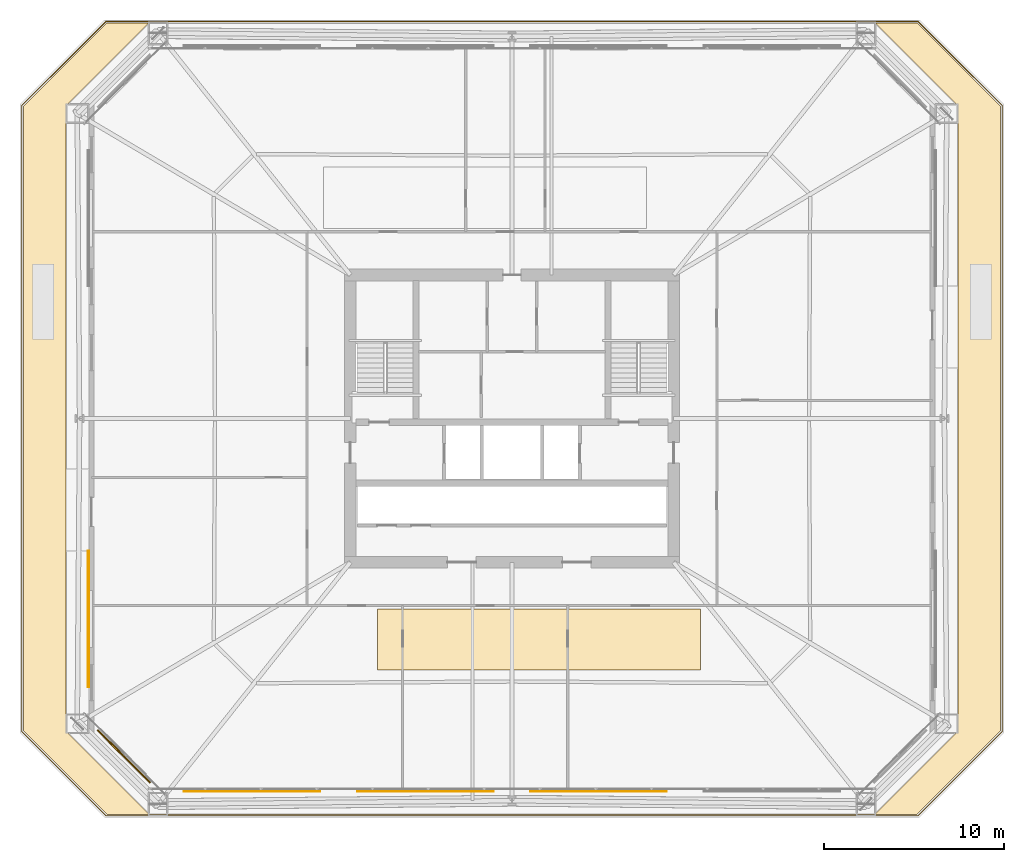
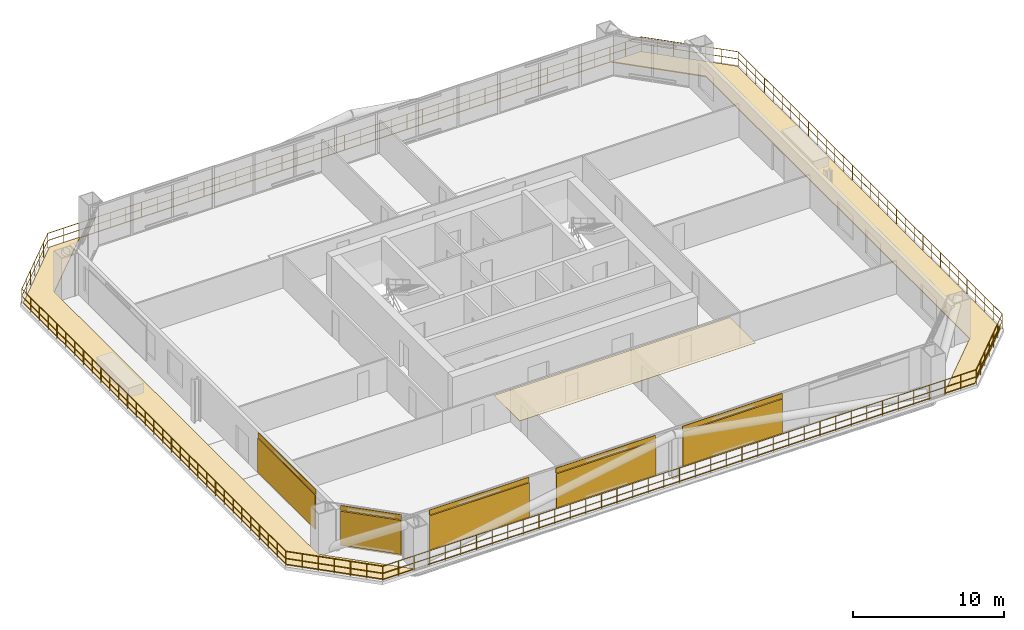
# One storey, part 32 of 34: 7 coverings, 5 shading devices, 1 railing.
"""IFC4 building model written with IfcOpenShell, lengths in metres."""

import ifcopenshell
import ifcopenshell.guid

model = None  # the IFC model being written
_history = None  # IfcOwnerHistory: only IFC2X3 demands one
_inside = {}  # id of a spatial element -> (the spatial element, [elements in it])
_under = {}  # id of a project, library or spatial element -> (it, [spatial elements below it])
_declared = {}  # id of a project -> (the project, [libraries it declares])
_typed = {}  # id of a type object -> (the type object, [elements of that type])
_made_of = {}  # id of a material, layer set ... -> (it, [elements and type objects made of it])


def new_model(schema):
    """Start an empty IFC model of exactly this schema.

    Asked for "IFC4X3", IfcOpenShell would pick the latest addendum, in which some entities
    have other attributes; the version numbers below select the first issue.
    IFC2X3 requires an IfcOwnerHistory on every rooted entity: one is made here for all.
    """
    global model, _history
    if schema == "IFC4X3":
        model = ifcopenshell.file(schema_version=(4, 3, 0, 0))
    else:
        model = ifcopenshell.file(schema=schema)
    _inside.clear()
    _under.clear()
    _declared.clear()
    _typed.clear()
    _made_of.clear()
    _history = None
    if model.schema == "IFC2X3":
        org = make("IfcOrganization", Name="unknown")
        user = make(
            "IfcPersonAndOrganization",
            ThePerson=make("IfcPerson", FamilyName="unknown"),
            TheOrganization=org,
        )
        app = make(
            "IfcApplication",
            ApplicationDeveloper=org,
            Version="unknown",
            ApplicationFullName="unknown",
            ApplicationIdentifier="unknown",
        )
        _history = make(
            "IfcOwnerHistory",
            OwningUser=user,
            OwningApplication=app,
            ChangeAction="ADDED",
            CreationDate=0,
        )
    return model


def make(cls, **values):
    """One entity of the class cls with the attributes given. An attribute that is None is left unset."""
    return model.create_entity(
        cls, **{name: value for name, value in values.items() if value is not None}
    )


def rooted(cls, **values):
    """An entity with a GlobalId (a new one), such as an element, a storey or a relation."""
    return make(cls, GlobalId=ifcopenshell.guid.new(), OwnerHistory=_history, **values)


def si_unit(unit_type, name, prefix=None):
    """IfcSIUnit, for example si_unit("LENGTHUNIT", "METRE", prefix="MILLI")."""
    return make("IfcSIUnit", UnitType=unit_type, Prefix=prefix, Name=name)


def assignment(units):
    """IfcUnitAssignment: the units of a project."""
    return None if units is None else make("IfcUnitAssignment", Units=units)


def point(xyz):
    """IfcCartesianPoint."""
    return None if xyz is None else make("IfcCartesianPoint", Coordinates=xyz)


def direction(xyz):
    """IfcDirection."""
    return None if xyz is None else make("IfcDirection", DirectionRatios=xyz)


def frame(location, z_axis=None, x_axis=None):
    """IfcAxis2Placement3D, a coordinate frame: its origin and axes. An axis left out is left unset."""
    return make(
        "IfcAxis2Placement3D",
        Location=point(location),
        Axis=direction(z_axis),
        RefDirection=direction(x_axis),
    )


def frame_2d(location, x_axis=None):
    """IfcAxis2Placement2D, a coordinate frame in the plane: its origin and x axis."""
    return make(
        "IfcAxis2Placement2D", Location=point(location), RefDirection=direction(x_axis)
    )


def origin():
    """The frame at (0, 0, 0) with its axes left unset."""
    return frame((0.0, 0.0, 0.0))


def origin_2d():
    """The frame at (0, 0) in the plane with its x axis left unset."""
    return frame_2d((0.0, 0.0))


def place(relative_to, where):
    """IfcLocalPlacement: puts the frame where relative to a parent placement (None: the world)."""
    return make(
        "IfcLocalPlacement", PlacementRelTo=relative_to, RelativePlacement=where
    )


def context(
    kind, dimensions, precision=None, world=None, true_north=None, identifier=None
):
    """IfcGeometricRepresentationContext, for example the 3D "Model" context."""
    return make(
        "IfcGeometricRepresentationContext",
        ContextIdentifier=identifier,
        ContextType=kind,
        CoordinateSpaceDimension=dimensions,
        Precision=precision,
        WorldCoordinateSystem=world,
        TrueNorth=true_north,
    )


def subcontext(parent, identifier, kind, view, scale=None):
    """IfcGeometricRepresentationSubContext, for example "Body" below "Model"."""
    return make(
        "IfcGeometricRepresentationSubContext",
        ContextIdentifier=identifier,
        ContextType=kind,
        ParentContext=parent,
        TargetScale=scale,
        TargetView=view,
    )


def project(units=None, contexts=None):
    """IfcProject with its units and contexts."""
    return rooted(
        "IfcProject",
        Name="project",
        RepresentationContexts=contexts,
        UnitsInContext=assignment(units),
    )


def spatial(cls, under=None, at=None, **own):
    """A site, building, storey or space (cls), placed at a placement, below another one or the project."""
    s = rooted(cls, ObjectPlacement=at, **own)
    if under is not None:
        _under.setdefault(under.id(), (under, []))[1].append(s)
    return s


def polyline(points):
    """IfcPolyline through the points."""
    return make("IfcPolyline", Points=[point(p) for p in points])


def profile(cls, at=None, kind="AREA", **sizes):
    """A parametric profile (cls). Its sizes go by their IFC names, for example OverallWidth=200.0."""
    return make(cls, ProfileType=kind, Position=at, **sizes)


def rectangle(**sizes):
    """IfcRectangleProfileDef."""
    return profile("IfcRectangleProfileDef", **sizes)


def circle(**sizes):
    """IfcCircleProfileDef."""
    return profile("IfcCircleProfileDef", **sizes)


def outline(outer, holes=None, kind="AREA"):
    """IfcArbitraryClosedProfileDef: a profile drawn as a closed curve; with holes, ...WithVoids."""
    if holes is None:
        return make("IfcArbitraryClosedProfileDef", ProfileType=kind, OuterCurve=outer)
    return make(
        "IfcArbitraryProfileDefWithVoids",
        ProfileType=kind,
        OuterCurve=outer,
        InnerCurves=holes,
    )


def extrude(swept, where, along, depth):
    """IfcExtrudedAreaSolid: the profile swept, set in the frame where, extruded along a direction by depth."""
    return make(
        "IfcExtrudedAreaSolid",
        SweptArea=swept,
        Position=where,
        ExtrudedDirection=direction(along),
        Depth=depth,
    )


def shape(context_of_items, identifier, shape_type, items):
    """IfcShapeRepresentation: the items that make up one representation, for example the "Body"."""
    return make(
        "IfcShapeRepresentation",
        ContextOfItems=context_of_items,
        RepresentationIdentifier=identifier,
        RepresentationType=shape_type,
        Items=items,
    )


def material(Name=None, Category=None):
    """IfcMaterial."""
    return make("IfcMaterial", Name=Name, Category=Category)


def layer(
    of_material, thickness, ventilated=None, Name=None, Category=None, Priority=None
):
    """IfcMaterialLayer: one layer of a wall or slab, of a material (None: an air gap)."""
    return make(
        "IfcMaterialLayer",
        Material=of_material,
        LayerThickness=thickness,
        IsVentilated=ventilated,
        Name=Name,
        Category=Category,
        Priority=Priority,
    )


def layer_set(layers, Name=None):
    """IfcMaterialLayerSet."""
    return make("IfcMaterialLayerSet", MaterialLayers=layers, LayerSetName=Name)


def made_of(thing, what):
    """Note that an element or type object is made of a material, layer set ...; save() writes the relation."""
    if what is not None:
        _made_of.setdefault(what.id(), (what, []))[1].append(thing)
    return thing


def type_object(cls, material=None, **own):
    """A type object (cls), such as IfcWallType, which elements share."""
    return made_of(rooted(cls, **own), material)


def element(
    cls,
    number,
    at=None,
    inside=None,
    cuts=None,
    type_object=None,
    material=None,
    context=None,
    identifier="Body",
    shape_type=None,
    held_by="IfcProductDefinitionShape",
    body=None,
    shapes=None,
    **own,
):
    """One element of the class cls, such as IfcWall. Its Tag is "e" and its number.

    at: its placement. inside: the storey or other place that contains it. cuts: it is an
    opening in that element (IfcRelVoidsElement). A single representation is given by context,
    identifier, shape_type and body (its items); several are given by shapes. held_by: the class
    of the entity that holds the representations. save() writes the other relations.
    """
    e = rooted(cls, Tag="e%d" % number, ObjectPlacement=at, **own)
    if body is not None:
        shapes = [shape(context, identifier, shape_type, body)]
    if shapes is not None:
        e.Representation = make(held_by, Representations=shapes)
    if inside is not None:
        _inside.setdefault(inside.id(), (inside, []))[1].append(e)
    if cuts is not None:
        rooted(
            "IfcRelVoidsElement", RelatingBuildingElement=cuts, RelatedOpeningElement=e
        )
    if type_object is not None:
        _typed.setdefault(type_object.id(), (type_object, []))[1].append(e)
    return made_of(e, material)


def aggregate(whole, parts):
    """IfcRelAggregates: a whole, such as a stair, and the parts it consists of."""
    return rooted("IfcRelAggregates", RelatingObject=whole, RelatedObjects=parts)


def save(model, path):
    """Write the relations noted so far, then the file.

    IfcRelAggregates (storeys below a building ...), IfcRelContainedInSpatialStructure (elements
    in a storey), IfcRelDefinesByType, IfcRelAssociatesMaterial and IfcRelDeclares: one each for
    every whole, place, type object, material and project.
    """
    for whole, parts in _under.values():
        aggregate(whole, parts)
    for where, things in _inside.values():
        rooted(
            "IfcRelContainedInSpatialStructure",
            RelatedElements=things,
            RelatingStructure=where,
        )
    for kind, things in _typed.values():
        rooted("IfcRelDefinesByType", RelatedObjects=things, RelatingType=kind)
    for what, things in _made_of.values():
        rooted("IfcRelAssociatesMaterial", RelatedObjects=things, RelatingMaterial=what)
    for by, libraries in _declared.values():
        rooted("IfcRelDeclares", RelatingContext=by, RelatedDefinitions=libraries)
    model.write(path)


model = new_model("IFC4")

# Units and contexts
model_context = context("Model", 3, precision=1e-05, world=origin(), true_north=direction((0.0, 1.0)))
body_context = subcontext(model_context, "Body", "Model", "MODEL_VIEW")
ifc_project = project(units=[si_unit("LENGTHUNIT", "METRE"), si_unit("AREAUNIT", "SQUARE_METRE"), si_unit("VOLUMEUNIT", "CUBIC_METRE"), si_unit("PLANEANGLEUNIT", "RADIAN"), si_unit("MASSUNIT", "GRAM", prefix="KILO")], contexts=[model_context])

# Site, building, storey
site_placement = place(None, origin())
site = spatial("IfcSite", under=ifc_project, at=site_placement, CompositionType="ELEMENT")
building_placement = place(site_placement, origin())
building = spatial("IfcBuilding", under=site, at=building_placement, Name="Caelvoria Tower", CompositionType="ELEMENT")
storey_placement = place(building_placement, frame((0.0, 0.0, 28.0)))
storey = spatial("IfcBuildingStorey", under=building, at=storey_placement, Name="L06", CompositionType="ELEMENT", Elevation=28.0)

# Coverings
ifc_material_1 = material(Name="Acoustic Mineral Fibre Tile", Category="gypsum")
ifc_layer_1 = layer(ifc_material_1, 0.02490234375, Name="Acoustic Mineral Fibre Tile")
ifc_layer_set_1 = layer_set([ifc_layer_1], Name="Mineral-Fibre Acoustic Suspended Ceiling 25 - Acoustic Mineral Fibre Tile")
covering_type_1 = type_object("IfcCoveringType", Name="Mineral-Fibre Acoustic Suspended Ceiling 25", PredefinedType="CEILING", material=ifc_layer_set_1)
covering_1_placement = place(storey_placement, frame((0.0, 0.0, 2.635009765625)))
element("IfcCovering", 1, at=covering_1_placement, inside=storey, type_object=covering_type_1, Name="Suspended Acoustic Ceiling L06", PredefinedType="CEILING", context=body_context, shape_type="SweptSolid", body=[
    extrude(outline(polyline([(38.5, 18.0), (56.5, 18.0), (56.5, 21.39990234375), (38.5, 21.39990234375), (38.5, 18.0)])), origin(), (0.0, 0.0, 1.0), 0.02490234375),
])
ifc_material_2 = material(Name="Perforated Architectural Bronze Cladding Screen", Category="bronze")
ifc_layer_2 = layer(ifc_material_2, 0.0400390625, Name="Perforated Architectural Bronze Cladding Screen")
ifc_layer_set_2 = layer_set([ifc_layer_2], Name="Perforated Bronze Louvre Cladding Band 40 - Perforated Architectural Bronze Cladding Screen")
covering_type_2 = type_object("IfcCoveringType", Name="Perforated Bronze Louvre Cladding Band 40", PredefinedType="CLADDING", material=ifc_layer_set_2)
for number, where, z_axis, x_axis, name in (
    (2, (31.52490234375, 11.278076171875, 2.93994140625), (0.0, 0.0, 1.0), (1.0, 0.0, 0.0), "Perforated Bronze Screen Band L06-E0-00"),
    (3, (41.175048828125, 11.278076171875, 2.93994140625), (0.0, 0.0, 1.0), (1.0, 0.0, 0.0), "Perforated Bronze Screen Band L06-E0-01"),
    (4, (50.824951171875, 11.278076171875, 2.93994140625), (0.0, 0.0, 1.0), (1.0, 0.0, 0.0), "Perforated Bronze Screen Band L06-E0-02"),
    (5, (22.427978515625, 20.840087890625, 2.93994140625), (0.0, 0.0, 1.0), (0.0, -1.0, 0.0), "Perforated Bronze Screen Band L06-E6-02"),
):
    element("IfcCovering", number, at=place(storey_placement, frame(where, z_axis=z_axis, x_axis=x_axis)), inside=storey, type_object=covering_type_2, Name=name, PredefinedType="CLADDING", context=body_context, shape_type="SweptSolid", body=[
        extrude(rectangle(XDim=7.60009765625, YDim=0.0400390625, at=origin_2d()), origin(), (0.0, 0.0, 1.0), 0.39990234375),
    ])
covering_2_placement = place(storey_placement, frame((24.40380859375, 13.20361328125, 2.93994140625), z_axis=(0.0, 0.0, 1.0), x_axis=(0.707106781187, -0.707106781187, 0.0)))
element("IfcCovering", 6, at=covering_2_placement, inside=storey, type_object=covering_type_2, Name="Perforated Bronze Screen Band L06-E7-00", PredefinedType="CLADDING", context=body_context, shape_type="SweptSolid", body=[
    extrude(rectangle(XDim=4.140625, YDim=0.0400390625, at=origin_2d()), origin(), (0.0, 0.0, 1.0), 0.39990234375),
])

# Shading devices
ifc_material_3 = material(Name="Perforated Architectural Bronze Alloy Panel", Category="bronze")
ifc_layer_3 = layer(ifc_material_3, 0.044921875, Name="Perforated Architectural Bronze Alloy Panel")
ifc_layer_set_3 = layer_set([ifc_layer_3], Name="Perforated Bronze Solar Screen Panel SCREEN - Perforated Architectural Bronze Alloy Panel")
shading_device_type = type_object("IfcShadingDeviceType", Name="Perforated Bronze Solar Screen Panel SCREEN", PredefinedType="USERDEFINED", material=ifc_layer_set_3)
for number, where, z_axis, x_axis, name in (
    (7, (31.52490234375, 11.235107421875, 0.159912109375), (0.0, 0.0, 1.0), (1.0, 0.0, 0.0), "Perforated Bronze Solar Screen L06-E0-00"),
    (8, (41.175048828125, 11.235107421875, 0.159912109375), (0.0, 0.0, 1.0), (1.0, 0.0, 0.0), "Perforated Bronze Solar Screen L06-E0-01"),
    (9, (50.824951171875, 11.235107421875, 0.159912109375), (0.0, 0.0, 1.0), (1.0, 0.0, 0.0), "Perforated Bronze Solar Screen L06-E0-02"),
    (10, (22.385009765625, 20.840087890625, 0.159912109375), (0.0, 0.0, 1.0), (0.0, -1.0, 0.0), "Perforated Bronze Solar Screen L06-E6-02"),
):
    element("IfcShadingDevice", number, at=place(storey_placement, frame(where, z_axis=z_axis, x_axis=x_axis)), inside=storey, type_object=shading_device_type, Name=name, ObjectType="SCREEN", PredefinedType="USERDEFINED", context=body_context, shape_type="SweptSolid", body=[
        extrude(rectangle(XDim=7.60009765625, YDim=0.044921875, at=origin_2d()), origin(), (0.0, 0.0, 1.0), 2.75),
    ])
shading_device_placement = place(storey_placement, frame((24.373291015625, 13.17333984375, 0.159912109375), z_axis=(0.0, 0.0, 1.0), x_axis=(0.707106781187, -0.707106781187, 0.0)))
element("IfcShadingDevice", 11, at=shading_device_placement, inside=storey, type_object=shading_device_type, Name="Perforated Bronze Solar Screen L06-E7-00", ObjectType="SCREEN", PredefinedType="USERDEFINED", context=body_context, shape_type="SweptSolid", body=[
    extrude(rectangle(XDim=4.140625, YDim=0.044921875, at=origin_2d()), origin(), (0.0, 0.0, 1.0), 2.75),
])

# Railing
ifc_material_4 = material(Name="Laminated Structural Glass and Bronze Cap Rail", Category="glass")
railing_type = type_object("IfcRailingType", Name="Sky Pool and Podium Glazed Balustrade 1200", PredefinedType="BALUSTRADE", material=ifc_material_4)
railing_placement = place(storey_placement, frame((23.3857421875, 9.8837890625, 0.0)))
element("IfcRailing", 12, at=railing_placement, inside=storey, type_object=railing_type, Name="Terraced Podium Roof Guardrail L06", PredefinedType="BALUSTRADE", context=body_context, shape_type="SweptSolid", body=[
    extrude(circle(Radius=0.02392578125, at=origin_2d()), frame((0.0, 0.0, 1.17578125), z_axis=(1.0, 0.0, 0.0), x_axis=(0.0, 1.0, 0.0)), (0.0, 0.0, 1.0), 45.228515625),
    extrude(circle(Radius=0.02392578125, at=origin_2d()), frame((0.0, 0.0, 0.60009765625), z_axis=(1.0, 0.0, 0.0), x_axis=(0.0, 1.0, 0.0)), (0.0, 0.0, 1.0), 45.228515625),
    extrude(circle(Radius=0.02392578125, at=origin_2d()), frame((45.228515625, 0.0, 1.17578125), z_axis=(0.707383221509, 0.706830232749, 0.0), x_axis=(-0.706830232749, 0.707383221509, 0.0)), (0.0, 0.0, 1.0), 6.622314453125),
    extrude(circle(Radius=0.02392578125, at=origin_2d()), frame((45.228515625, 0.0, 0.60009765625), z_axis=(0.707383221509, 0.706830232749, 0.0), x_axis=(-0.706830232749, 0.707383221509, 0.0)), (0.0, 0.0, 1.0), 6.622314453125),
    extrude(circle(Radius=0.02392578125, at=origin_2d()), frame((49.9130859375, 4.680908203125, 1.17578125), z_axis=(0.0, 1.0, 0.0), x_axis=(-1.0, 0.0, 0.0)), (0.0, 0.0, 1.0), 34.87060546875),
    extrude(circle(Radius=0.02392578125, at=origin_2d()), frame((49.9130859375, 4.680908203125, 0.60009765625), z_axis=(0.0, 1.0, 0.0), x_axis=(-1.0, 0.0, 0.0)), (0.0, 0.0, 1.0), 34.87060546875),
    extrude(circle(Radius=0.02392578125, at=origin_2d()), frame((49.9130859375, 39.551513671875, 1.17578125), z_axis=(-0.707383221509, 0.706830232749, 0.0), x_axis=(-0.706830232749, -0.707383221509, 0.0)), (0.0, 0.0, 1.0), 6.622314453125),
    extrude(circle(Radius=0.02392578125, at=origin_2d()), frame((49.9130859375, 39.551513671875, 0.60009765625), z_axis=(-0.707383221509, 0.706830232749, 0.0), x_axis=(-0.706830232749, -0.707383221509, 0.0)), (0.0, 0.0, 1.0), 6.622314453125),
    extrude(circle(Radius=0.02392578125, at=origin_2d()), frame((45.228515625, 44.232421875, 1.17578125), z_axis=(-1.0, 0.0, 0.0), x_axis=(0.0, -1.0, 0.0)), (0.0, 0.0, 1.0), 45.228515625),
    extrude(circle(Radius=0.02392578125, at=origin_2d()), frame((45.228515625, 44.232421875, 0.60009765625), z_axis=(-1.0, 0.0, 0.0), x_axis=(0.0, -1.0, 0.0)), (0.0, 0.0, 1.0), 45.228515625),
    extrude(circle(Radius=0.02392578125, at=origin_2d()), frame((0.0, 44.232421875, 1.17578125), z_axis=(-0.707383221509, -0.706830232749, 0.0), x_axis=(0.706830232749, -0.707383221509, 0.0)), (0.0, 0.0, 1.0), 6.622314453125),
    extrude(circle(Radius=0.02392578125, at=origin_2d()), frame((0.0, 44.232421875, 0.60009765625), z_axis=(-0.707383221509, -0.706830232749, 0.0), x_axis=(0.706830232749, -0.707383221509, 0.0)), (0.0, 0.0, 1.0), 6.622314453125),
    extrude(circle(Radius=0.02392578125, at=origin_2d()), frame((-4.6845703125, 39.551513671875, 1.17578125), z_axis=(0.0, -1.0, 0.0), x_axis=(1.0, 0.0, 0.0)), (0.0, 0.0, 1.0), 34.87060546875),
    extrude(circle(Radius=0.02392578125, at=origin_2d()), frame((-4.6845703125, 39.551513671875, 0.60009765625), z_axis=(0.0, -1.0, 0.0), x_axis=(1.0, 0.0, 0.0)), (0.0, 0.0, 1.0), 34.87060546875),
    extrude(circle(Radius=0.02392578125, at=origin_2d()), frame((-4.6845703125, 4.680908203125, 1.17578125), z_axis=(0.707383221509, -0.706830232749, 0.0), x_axis=(0.706830232749, 0.707383221509, 0.0)), (0.0, 0.0, 1.0), 6.622314453125),
    extrude(circle(Radius=0.02392578125, at=origin_2d()), frame((-4.6845703125, 4.680908203125, 0.60009765625), z_axis=(0.707383221509, -0.706830232749, 0.0), x_axis=(0.706830232749, 0.707383221509, 0.0)), (0.0, 0.0, 1.0), 6.622314453125),
    extrude(circle(Radius=0.02099609375, at=origin_2d()), origin(), (0.0, 0.0, 1.0), 1.15185546875),
    extrude(circle(Radius=0.02099609375, at=origin_2d()), frame((1.190185546875, 0.0, 0.0)), (0.0, 0.0, 1.0), 1.15185546875),
    extrude(circle(Radius=0.02099609375, at=origin_2d()), frame((2.38037109375, 0.0, 0.0)), (0.0, 0.0, 1.0), 1.15185546875),
    extrude(circle(Radius=0.02099609375, at=origin_2d()), frame((3.570556640625, 0.0, 0.0)), (0.0, 0.0, 1.0), 1.15185546875),
    extrude(circle(Radius=0.02099609375, at=origin_2d()), frame((4.760986328125, 0.0, 0.0)), (0.0, 0.0, 1.0), 1.15185546875),
    extrude(circle(Radius=0.02099609375, at=origin_2d()), frame((5.951171875, 0.0, 0.0)), (0.0, 0.0, 1.0), 1.15185546875),
    extrude(circle(Radius=0.02099609375, at=origin_2d()), frame((7.141357421875, 0.0, 0.0)), (0.0, 0.0, 1.0), 1.15185546875),
    extrude(circle(Radius=0.02099609375, at=origin_2d()), frame((8.33154296875, 0.0, 0.0)), (0.0, 0.0, 1.0), 1.15185546875),
    extrude(circle(Radius=0.02099609375, at=origin_2d()), frame((9.521728515625, 0.0, 0.0)), (0.0, 0.0, 1.0), 1.15185546875),
    extrude(circle(Radius=0.02099609375, at=origin_2d()), frame((10.7119140625, 0.0, 0.0)), (0.0, 0.0, 1.0), 1.15185546875),
    extrude(circle(Radius=0.02099609375, at=origin_2d()), frame((11.90234375, 0.0, 0.0)), (0.0, 0.0, 1.0), 1.15185546875),
    extrude(circle(Radius=0.02099609375, at=origin_2d()), frame((13.092529296875, 0.0, 0.0)), (0.0, 0.0, 1.0), 1.15185546875),
    extrude(circle(Radius=0.02099609375, at=origin_2d()), frame((14.28271484375, 0.0, 0.0)), (0.0, 0.0, 1.0), 1.15185546875),
    extrude(circle(Radius=0.02099609375, at=origin_2d()), frame((15.472900390625, 0.0, 0.0)), (0.0, 0.0, 1.0), 1.15185546875),
    extrude(circle(Radius=0.02099609375, at=origin_2d()), frame((16.6630859375, 0.0, 0.0)), (0.0, 0.0, 1.0), 1.15185546875),
    extrude(circle(Radius=0.02099609375, at=origin_2d()), frame((17.853271484375, 0.0, 0.0)), (0.0, 0.0, 1.0), 1.15185546875),
    extrude(circle(Radius=0.02099609375, at=origin_2d()), frame((19.043701171875, 0.0, 0.0)), (0.0, 0.0, 1.0), 1.15185546875),
    extrude(circle(Radius=0.02099609375, at=origin_2d()), frame((20.23388671875, 0.0, 0.0)), (0.0, 0.0, 1.0), 1.15185546875),
    extrude(circle(Radius=0.02099609375, at=origin_2d()), frame((21.424072265625, 0.0, 0.0)), (0.0, 0.0, 1.0), 1.15185546875),
    extrude(circle(Radius=0.02099609375, at=origin_2d()), frame((22.6142578125, 0.0, 0.0)), (0.0, 0.0, 1.0), 1.15185546875),
    extrude(circle(Radius=0.02099609375, at=origin_2d()), frame((23.804443359375, 0.0, 0.0)), (0.0, 0.0, 1.0), 1.15185546875),
    extrude(circle(Radius=0.02099609375, at=origin_2d()), frame((24.99462890625, 0.0, 0.0)), (0.0, 0.0, 1.0), 1.15185546875),
    extrude(circle(Radius=0.02099609375, at=origin_2d()), frame((26.184814453125, 0.0, 0.0)), (0.0, 0.0, 1.0), 1.15185546875),
    extrude(circle(Radius=0.02099609375, at=origin_2d()), frame((27.375244140625, 0.0, 0.0)), (0.0, 0.0, 1.0), 1.15185546875),
    extrude(circle(Radius=0.02099609375, at=origin_2d()), frame((28.5654296875, 0.0, 0.0)), (0.0, 0.0, 1.0), 1.15185546875),
    extrude(circle(Radius=0.02099609375, at=origin_2d()), frame((29.755615234375, 0.0, 0.0)), (0.0, 0.0, 1.0), 1.15185546875),
    extrude(circle(Radius=0.02099609375, at=origin_2d()), frame((30.94580078125, 0.0, 0.0)), (0.0, 0.0, 1.0), 1.15185546875),
    extrude(circle(Radius=0.02099609375, at=origin_2d()), frame((32.135986328125, 0.0, 0.0)), (0.0, 0.0, 1.0), 1.15185546875),
    extrude(circle(Radius=0.02099609375, at=origin_2d()), frame((33.326171875, 0.0, 0.0)), (0.0, 0.0, 1.0), 1.15185546875),
    extrude(circle(Radius=0.02099609375, at=origin_2d()), frame((34.5166015625, 0.0, 0.0)), (0.0, 0.0, 1.0), 1.15185546875),
    extrude(circle(Radius=0.02099609375, at=origin_2d()), frame((35.706787109375, 0.0, 0.0)), (0.0, 0.0, 1.0), 1.15185546875),
    extrude(circle(Radius=0.02099609375, at=origin_2d()), frame((36.89697265625, 0.0, 0.0)), (0.0, 0.0, 1.0), 1.15185546875),
    extrude(circle(Radius=0.02099609375, at=origin_2d()), frame((38.087158203125, 0.0, 0.0)), (0.0, 0.0, 1.0), 1.15185546875),
    extrude(circle(Radius=0.02099609375, at=origin_2d()), frame((39.27734375, 0.0, 0.0)), (0.0, 0.0, 1.0), 1.15185546875),
    extrude(circle(Radius=0.02099609375, at=origin_2d()), frame((40.467529296875, 0.0, 0.0)), (0.0, 0.0, 1.0), 1.15185546875),
    extrude(circle(Radius=0.02099609375, at=origin_2d()), frame((41.657958984375, 0.0, 0.0)), (0.0, 0.0, 1.0), 1.15185546875),
    extrude(circle(Radius=0.02099609375, at=origin_2d()), frame((42.84814453125, 0.0, 0.0)), (0.0, 0.0, 1.0), 1.15185546875),
    extrude(circle(Radius=0.02099609375, at=origin_2d()), frame((44.038330078125, 0.0, 0.0)), (0.0, 0.0, 1.0), 1.15185546875),
    extrude(circle(Radius=0.02099609375, at=origin_2d()), frame((45.228515625, 0.0, 0.0)), (0.0, 0.0, 1.0), 1.15185546875),
    extrude(circle(Radius=0.02099609375, at=origin_2d()), frame((46.00927734375, 0.7802734375, 0.0)), (0.0, 0.0, 1.0), 1.15185546875),
    extrude(circle(Radius=0.02099609375, at=origin_2d()), frame((46.7900390625, 1.560302734375, 0.0)), (0.0, 0.0, 1.0), 1.15185546875),
    extrude(circle(Radius=0.02099609375, at=origin_2d()), frame((47.57080078125, 2.34033203125, 0.0)), (0.0, 0.0, 1.0), 1.15185546875),
    extrude(circle(Radius=0.02099609375, at=origin_2d()), frame((48.3515625, 3.12060546875, 0.0)), (0.0, 0.0, 1.0), 1.15185546875),
    extrude(circle(Radius=0.02099609375, at=origin_2d()), frame((49.13232421875, 3.90087890625, 0.0)), (0.0, 0.0, 1.0), 1.15185546875),
    extrude(circle(Radius=0.02099609375, at=origin_2d()), frame((49.9130859375, 4.680908203125, 0.0)), (0.0, 0.0, 1.0), 1.15185546875),
    extrude(circle(Radius=0.02099609375, at=origin_2d()), frame((49.9130859375, 5.84326171875, 0.0)), (0.0, 0.0, 1.0), 1.15185546875),
    extrude(circle(Radius=0.02099609375, at=origin_2d()), frame((49.9130859375, 7.005615234375, 0.0)), (0.0, 0.0, 1.0), 1.15185546875),
    extrude(circle(Radius=0.02099609375, at=origin_2d()), frame((49.9130859375, 8.16796875, 0.0)), (0.0, 0.0, 1.0), 1.15185546875),
    extrude(circle(Radius=0.02099609375, at=origin_2d()), frame((49.9130859375, 9.330322265625, 0.0)), (0.0, 0.0, 1.0), 1.15185546875),
    extrude(circle(Radius=0.02099609375, at=origin_2d()), frame((49.9130859375, 10.49267578125, 0.0)), (0.0, 0.0, 1.0), 1.15185546875),
    extrude(circle(Radius=0.02099609375, at=origin_2d()), frame((49.9130859375, 11.655029296875, 0.0)), (0.0, 0.0, 1.0), 1.15185546875),
    extrude(circle(Radius=0.02099609375, at=origin_2d()), frame((49.9130859375, 12.8173828125, 0.0)), (0.0, 0.0, 1.0), 1.15185546875),
    extrude(circle(Radius=0.02099609375, at=origin_2d()), frame((49.9130859375, 13.979736328125, 0.0)), (0.0, 0.0, 1.0), 1.15185546875),
    extrude(circle(Radius=0.02099609375, at=origin_2d()), frame((49.9130859375, 15.14208984375, 0.0)), (0.0, 0.0, 1.0), 1.15185546875),
    extrude(circle(Radius=0.02099609375, at=origin_2d()), frame((49.9130859375, 16.304443359375, 0.0)), (0.0, 0.0, 1.0), 1.15185546875),
    extrude(circle(Radius=0.02099609375, at=origin_2d()), frame((49.9130859375, 17.466796875, 0.0)), (0.0, 0.0, 1.0), 1.15185546875),
    extrude(circle(Radius=0.02099609375, at=origin_2d()), frame((49.9130859375, 18.629150390625, 0.0)), (0.0, 0.0, 1.0), 1.15185546875),
    extrude(circle(Radius=0.02099609375, at=origin_2d()), frame((49.9130859375, 19.79150390625, 0.0)), (0.0, 0.0, 1.0), 1.15185546875),
    extrude(circle(Radius=0.02099609375, at=origin_2d()), frame((49.9130859375, 20.953857421875, 0.0)), (0.0, 0.0, 1.0), 1.15185546875),
    extrude(circle(Radius=0.02099609375, at=origin_2d()), frame((49.9130859375, 22.1162109375, 0.0)), (0.0, 0.0, 1.0), 1.15185546875),
    extrude(circle(Radius=0.02099609375, at=origin_2d()), frame((49.9130859375, 23.278564453125, 0.0)), (0.0, 0.0, 1.0), 1.15185546875),
    extrude(circle(Radius=0.02099609375, at=origin_2d()), frame((49.9130859375, 24.44091796875, 0.0)), (0.0, 0.0, 1.0), 1.15185546875),
    extrude(circle(Radius=0.02099609375, at=origin_2d()), frame((49.9130859375, 25.603271484375, 0.0)), (0.0, 0.0, 1.0), 1.15185546875),
    extrude(circle(Radius=0.02099609375, at=origin_2d()), frame((49.9130859375, 26.765625, 0.0)), (0.0, 0.0, 1.0), 1.15185546875),
    extrude(circle(Radius=0.02099609375, at=origin_2d()), frame((49.9130859375, 27.927978515625, 0.0)), (0.0, 0.0, 1.0), 1.15185546875),
    extrude(circle(Radius=0.02099609375, at=origin_2d()), frame((49.9130859375, 29.09033203125, 0.0)), (0.0, 0.0, 1.0), 1.15185546875),
    extrude(circle(Radius=0.02099609375, at=origin_2d()), frame((49.9130859375, 30.252685546875, 0.0)), (0.0, 0.0, 1.0), 1.15185546875),
    extrude(circle(Radius=0.02099609375, at=origin_2d()), frame((49.9130859375, 31.4150390625, 0.0)), (0.0, 0.0, 1.0), 1.15185546875),
    extrude(circle(Radius=0.02099609375, at=origin_2d()), frame((49.9130859375, 32.577392578125, 0.0)), (0.0, 0.0, 1.0), 1.15185546875),
    extrude(circle(Radius=0.02099609375, at=origin_2d()), frame((49.9130859375, 33.73974609375, 0.0)), (0.0, 0.0, 1.0), 1.15185546875),
    extrude(circle(Radius=0.02099609375, at=origin_2d()), frame((49.9130859375, 34.902099609375, 0.0)), (0.0, 0.0, 1.0), 1.15185546875),
    extrude(circle(Radius=0.02099609375, at=origin_2d()), frame((49.9130859375, 36.064453125, 0.0)), (0.0, 0.0, 1.0), 1.15185546875),
    extrude(circle(Radius=0.02099609375, at=origin_2d()), frame((49.9130859375, 37.226806640625, 0.0)), (0.0, 0.0, 1.0), 1.15185546875),
    extrude(circle(Radius=0.02099609375, at=origin_2d()), frame((49.9130859375, 38.38916015625, 0.0)), (0.0, 0.0, 1.0), 1.15185546875),
    extrude(circle(Radius=0.02099609375, at=origin_2d()), frame((49.9130859375, 39.551513671875, 0.0)), (0.0, 0.0, 1.0), 1.15185546875),
    extrude(circle(Radius=0.02099609375, at=origin_2d()), frame((49.13232421875, 40.33154296875, 0.0)), (0.0, 0.0, 1.0), 1.15185546875),
    extrude(circle(Radius=0.02099609375, at=origin_2d()), frame((48.3515625, 41.11181640625, 0.0)), (0.0, 0.0, 1.0), 1.15185546875),
    extrude(circle(Radius=0.02099609375, at=origin_2d()), frame((47.57080078125, 41.89208984375, 0.0)), (0.0, 0.0, 1.0), 1.15185546875),
    extrude(circle(Radius=0.02099609375, at=origin_2d()), frame((46.7900390625, 42.672119140625, 0.0)), (0.0, 0.0, 1.0), 1.15185546875),
    extrude(circle(Radius=0.02099609375, at=origin_2d()), frame((46.00927734375, 43.4521484375, 0.0)), (0.0, 0.0, 1.0), 1.15185546875),
    extrude(circle(Radius=0.02099609375, at=origin_2d()), frame((45.228515625, 44.232421875, 0.0)), (0.0, 0.0, 1.0), 1.15185546875),
    extrude(circle(Radius=0.02099609375, at=origin_2d()), frame((44.038330078125, 44.232421875, 0.0)), (0.0, 0.0, 1.0), 1.15185546875),
    extrude(circle(Radius=0.02099609375, at=origin_2d()), frame((42.84814453125, 44.232421875, 0.0)), (0.0, 0.0, 1.0), 1.15185546875),
    extrude(circle(Radius=0.02099609375, at=origin_2d()), frame((41.657958984375, 44.232421875, 0.0)), (0.0, 0.0, 1.0), 1.15185546875),
    extrude(circle(Radius=0.02099609375, at=origin_2d()), frame((40.467529296875, 44.232421875, 0.0)), (0.0, 0.0, 1.0), 1.15185546875),
    extrude(circle(Radius=0.02099609375, at=origin_2d()), frame((39.27734375, 44.232421875, 0.0)), (0.0, 0.0, 1.0), 1.15185546875),
    extrude(circle(Radius=0.02099609375, at=origin_2d()), frame((38.087158203125, 44.232421875, 0.0)), (0.0, 0.0, 1.0), 1.15185546875),
    extrude(circle(Radius=0.02099609375, at=origin_2d()), frame((36.89697265625, 44.232421875, 0.0)), (0.0, 0.0, 1.0), 1.15185546875),
    extrude(circle(Radius=0.02099609375, at=origin_2d()), frame((35.706787109375, 44.232421875, 0.0)), (0.0, 0.0, 1.0), 1.15185546875),
    extrude(circle(Radius=0.02099609375, at=origin_2d()), frame((34.5166015625, 44.232421875, 0.0)), (0.0, 0.0, 1.0), 1.15185546875),
    extrude(circle(Radius=0.02099609375, at=origin_2d()), frame((33.326171875, 44.232421875, 0.0)), (0.0, 0.0, 1.0), 1.15185546875),
    extrude(circle(Radius=0.02099609375, at=origin_2d()), frame((32.135986328125, 44.232421875, 0.0)), (0.0, 0.0, 1.0), 1.15185546875),
    extrude(circle(Radius=0.02099609375, at=origin_2d()), frame((30.94580078125, 44.232421875, 0.0)), (0.0, 0.0, 1.0), 1.15185546875),
    extrude(circle(Radius=0.02099609375, at=origin_2d()), frame((29.755615234375, 44.232421875, 0.0)), (0.0, 0.0, 1.0), 1.15185546875),
    extrude(circle(Radius=0.02099609375, at=origin_2d()), frame((28.5654296875, 44.232421875, 0.0)), (0.0, 0.0, 1.0), 1.15185546875),
    extrude(circle(Radius=0.02099609375, at=origin_2d()), frame((27.375244140625, 44.232421875, 0.0)), (0.0, 0.0, 1.0), 1.15185546875),
    extrude(circle(Radius=0.02099609375, at=origin_2d()), frame((26.184814453125, 44.232421875, 0.0)), (0.0, 0.0, 1.0), 1.15185546875),
    extrude(circle(Radius=0.02099609375, at=origin_2d()), frame((24.99462890625, 44.232421875, 0.0)), (0.0, 0.0, 1.0), 1.15185546875),
    extrude(circle(Radius=0.02099609375, at=origin_2d()), frame((23.804443359375, 44.232421875, 0.0)), (0.0, 0.0, 1.0), 1.15185546875),
    extrude(circle(Radius=0.02099609375, at=origin_2d()), frame((22.6142578125, 44.232421875, 0.0)), (0.0, 0.0, 1.0), 1.15185546875),
    extrude(circle(Radius=0.02099609375, at=origin_2d()), frame((21.424072265625, 44.232421875, 0.0)), (0.0, 0.0, 1.0), 1.15185546875),
    extrude(circle(Radius=0.02099609375, at=origin_2d()), frame((20.23388671875, 44.232421875, 0.0)), (0.0, 0.0, 1.0), 1.15185546875),
    extrude(circle(Radius=0.02099609375, at=origin_2d()), frame((19.043701171875, 44.232421875, 0.0)), (0.0, 0.0, 1.0), 1.15185546875),
    extrude(circle(Radius=0.02099609375, at=origin_2d()), frame((17.853271484375, 44.232421875, 0.0)), (0.0, 0.0, 1.0), 1.15185546875),
    extrude(circle(Radius=0.02099609375, at=origin_2d()), frame((16.6630859375, 44.232421875, 0.0)), (0.0, 0.0, 1.0), 1.15185546875),
    extrude(circle(Radius=0.02099609375, at=origin_2d()), frame((15.472900390625, 44.232421875, 0.0)), (0.0, 0.0, 1.0), 1.15185546875),
    extrude(circle(Radius=0.02099609375, at=origin_2d()), frame((14.28271484375, 44.232421875, 0.0)), (0.0, 0.0, 1.0), 1.15185546875),
    extrude(circle(Radius=0.02099609375, at=origin_2d()), frame((13.092529296875, 44.232421875, 0.0)), (0.0, 0.0, 1.0), 1.15185546875),
    extrude(circle(Radius=0.02099609375, at=origin_2d()), frame((11.90234375, 44.232421875, 0.0)), (0.0, 0.0, 1.0), 1.15185546875),
    extrude(circle(Radius=0.02099609375, at=origin_2d()), frame((10.7119140625, 44.232421875, 0.0)), (0.0, 0.0, 1.0), 1.15185546875),
    extrude(circle(Radius=0.02099609375, at=origin_2d()), frame((9.521728515625, 44.232421875, 0.0)), (0.0, 0.0, 1.0), 1.15185546875),
    extrude(circle(Radius=0.02099609375, at=origin_2d()), frame((8.33154296875, 44.232421875, 0.0)), (0.0, 0.0, 1.0), 1.15185546875),
    extrude(circle(Radius=0.02099609375, at=origin_2d()), frame((7.141357421875, 44.232421875, 0.0)), (0.0, 0.0, 1.0), 1.15185546875),
    extrude(circle(Radius=0.02099609375, at=origin_2d()), frame((5.951171875, 44.232421875, 0.0)), (0.0, 0.0, 1.0), 1.15185546875),
    extrude(circle(Radius=0.02099609375, at=origin_2d()), frame((4.760986328125, 44.232421875, 0.0)), (0.0, 0.0, 1.0), 1.15185546875),
    extrude(circle(Radius=0.02099609375, at=origin_2d()), frame((3.570556640625, 44.232421875, 0.0)), (0.0, 0.0, 1.0), 1.15185546875),
    extrude(circle(Radius=0.02099609375, at=origin_2d()), frame((2.38037109375, 44.232421875, 0.0)), (0.0, 0.0, 1.0), 1.15185546875),
    extrude(circle(Radius=0.02099609375, at=origin_2d()), frame((1.190185546875, 44.232421875, 0.0)), (0.0, 0.0, 1.0), 1.15185546875),
    extrude(circle(Radius=0.02099609375, at=origin_2d()), frame((0.0, 44.232421875, 0.0)), (0.0, 0.0, 1.0), 1.15185546875),
    extrude(circle(Radius=0.02099609375, at=origin_2d()), frame((-0.78076171875, 43.4521484375, 0.0)), (0.0, 0.0, 1.0), 1.15185546875),
    extrude(circle(Radius=0.02099609375, at=origin_2d()), frame((-1.5615234375, 42.672119140625, 0.0)), (0.0, 0.0, 1.0), 1.15185546875),
    extrude(circle(Radius=0.02099609375, at=origin_2d()), frame((-2.34228515625, 41.89208984375, 0.0)), (0.0, 0.0, 1.0), 1.15185546875),
    extrude(circle(Radius=0.02099609375, at=origin_2d()), frame((-3.123046875, 41.11181640625, 0.0)), (0.0, 0.0, 1.0), 1.15185546875),
    extrude(circle(Radius=0.02099609375, at=origin_2d()), frame((-3.90380859375, 40.33154296875, 0.0)), (0.0, 0.0, 1.0), 1.15185546875),
    extrude(circle(Radius=0.02099609375, at=origin_2d()), frame((-4.6845703125, 39.551513671875, 0.0)), (0.0, 0.0, 1.0), 1.15185546875),
    extrude(circle(Radius=0.02099609375, at=origin_2d()), frame((-4.6845703125, 38.38916015625, 0.0)), (0.0, 0.0, 1.0), 1.15185546875),
    extrude(circle(Radius=0.02099609375, at=origin_2d()), frame((-4.6845703125, 37.226806640625, 0.0)), (0.0, 0.0, 1.0), 1.15185546875),
    extrude(circle(Radius=0.02099609375, at=origin_2d()), frame((-4.6845703125, 36.064453125, 0.0)), (0.0, 0.0, 1.0), 1.15185546875),
    extrude(circle(Radius=0.02099609375, at=origin_2d()), frame((-4.6845703125, 34.902099609375, 0.0)), (0.0, 0.0, 1.0), 1.15185546875),
    extrude(circle(Radius=0.02099609375, at=origin_2d()), frame((-4.6845703125, 33.73974609375, 0.0)), (0.0, 0.0, 1.0), 1.15185546875),
    extrude(circle(Radius=0.02099609375, at=origin_2d()), frame((-4.6845703125, 32.577392578125, 0.0)), (0.0, 0.0, 1.0), 1.15185546875),
    extrude(circle(Radius=0.02099609375, at=origin_2d()), frame((-4.6845703125, 31.4150390625, 0.0)), (0.0, 0.0, 1.0), 1.15185546875),
    extrude(circle(Radius=0.02099609375, at=origin_2d()), frame((-4.6845703125, 30.252685546875, 0.0)), (0.0, 0.0, 1.0), 1.15185546875),
    extrude(circle(Radius=0.02099609375, at=origin_2d()), frame((-4.6845703125, 29.09033203125, 0.0)), (0.0, 0.0, 1.0), 1.15185546875),
    extrude(circle(Radius=0.02099609375, at=origin_2d()), frame((-4.6845703125, 27.927978515625, 0.0)), (0.0, 0.0, 1.0), 1.15185546875),
    extrude(circle(Radius=0.02099609375, at=origin_2d()), frame((-4.6845703125, 26.765625, 0.0)), (0.0, 0.0, 1.0), 1.15185546875),
    extrude(circle(Radius=0.02099609375, at=origin_2d()), frame((-4.6845703125, 25.603271484375, 0.0)), (0.0, 0.0, 1.0), 1.15185546875),
    extrude(circle(Radius=0.02099609375, at=origin_2d()), frame((-4.6845703125, 24.44091796875, 0.0)), (0.0, 0.0, 1.0), 1.15185546875),
    extrude(circle(Radius=0.02099609375, at=origin_2d()), frame((-4.6845703125, 23.278564453125, 0.0)), (0.0, 0.0, 1.0), 1.15185546875),
    extrude(circle(Radius=0.02099609375, at=origin_2d()), frame((-4.6845703125, 22.1162109375, 0.0)), (0.0, 0.0, 1.0), 1.15185546875),
    extrude(circle(Radius=0.02099609375, at=origin_2d()), frame((-4.6845703125, 20.953857421875, 0.0)), (0.0, 0.0, 1.0), 1.15185546875),
    extrude(circle(Radius=0.02099609375, at=origin_2d()), frame((-4.6845703125, 19.79150390625, 0.0)), (0.0, 0.0, 1.0), 1.15185546875),
    extrude(circle(Radius=0.02099609375, at=origin_2d()), frame((-4.6845703125, 18.629150390625, 0.0)), (0.0, 0.0, 1.0), 1.15185546875),
    extrude(circle(Radius=0.02099609375, at=origin_2d()), frame((-4.6845703125, 17.466796875, 0.0)), (0.0, 0.0, 1.0), 1.15185546875),
    extrude(circle(Radius=0.02099609375, at=origin_2d()), frame((-4.6845703125, 16.304443359375, 0.0)), (0.0, 0.0, 1.0), 1.15185546875),
    extrude(circle(Radius=0.02099609375, at=origin_2d()), frame((-4.6845703125, 15.14208984375, 0.0)), (0.0, 0.0, 1.0), 1.15185546875),
    extrude(circle(Radius=0.02099609375, at=origin_2d()), frame((-4.6845703125, 13.979736328125, 0.0)), (0.0, 0.0, 1.0), 1.15185546875),
    extrude(circle(Radius=0.02099609375, at=origin_2d()), frame((-4.6845703125, 12.8173828125, 0.0)), (0.0, 0.0, 1.0), 1.15185546875),
    extrude(circle(Radius=0.02099609375, at=origin_2d()), frame((-4.6845703125, 11.655029296875, 0.0)), (0.0, 0.0, 1.0), 1.15185546875),
    extrude(circle(Radius=0.02099609375, at=origin_2d()), frame((-4.6845703125, 10.49267578125, 0.0)), (0.0, 0.0, 1.0), 1.15185546875),
    extrude(circle(Radius=0.02099609375, at=origin_2d()), frame((-4.6845703125, 9.330322265625, 0.0)), (0.0, 0.0, 1.0), 1.15185546875),
    extrude(circle(Radius=0.02099609375, at=origin_2d()), frame((-4.6845703125, 8.16796875, 0.0)), (0.0, 0.0, 1.0), 1.15185546875),
    extrude(circle(Radius=0.02099609375, at=origin_2d()), frame((-4.6845703125, 7.005615234375, 0.0)), (0.0, 0.0, 1.0), 1.15185546875),
    extrude(circle(Radius=0.02099609375, at=origin_2d()), frame((-4.6845703125, 5.84326171875, 0.0)), (0.0, 0.0, 1.0), 1.15185546875),
    extrude(circle(Radius=0.02099609375, at=origin_2d()), frame((-4.6845703125, 4.680908203125, 0.0)), (0.0, 0.0, 1.0), 1.15185546875),
    extrude(circle(Radius=0.02099609375, at=origin_2d()), frame((-3.90380859375, 3.90087890625, 0.0)), (0.0, 0.0, 1.0), 1.15185546875),
    extrude(circle(Radius=0.02099609375, at=origin_2d()), frame((-3.123046875, 3.12060546875, 0.0)), (0.0, 0.0, 1.0), 1.15185546875),
    extrude(circle(Radius=0.02099609375, at=origin_2d()), frame((-2.34228515625, 2.34033203125, 0.0)), (0.0, 0.0, 1.0), 1.15185546875),
    extrude(circle(Radius=0.02099609375, at=origin_2d()), frame((-1.5615234375, 1.560302734375, 0.0)), (0.0, 0.0, 1.0), 1.15185546875),
    extrude(circle(Radius=0.02099609375, at=origin_2d()), frame((-0.78076171875, 0.7802734375, 0.0)), (0.0, 0.0, 1.0), 1.15185546875),
])

# Covering
ifc_material_5 = material(Name="SBS Waterproofing Membrane and Extruded Insulation", Category="bitumen")
ifc_layer_4 = layer(ifc_material_5, 0.1201171875, Name="SBS Waterproofing Membrane and Extruded Insulation")
ifc_layer_set_4 = layer_set([ifc_layer_4], Name="Terrace Insulated Waterproof Roofing Membrane 120 - SBS Waterproofing Membrane and Extruded Insulation")
covering_type_3 = type_object("IfcCoveringType", Name="Terrace Insulated Waterproof Roofing Membrane 120", PredefinedType="ROOFING", material=ifc_layer_set_4)
covering_3_placement = place(storey_placement, origin())
element("IfcCovering", 13, at=covering_3_placement, inside=storey, type_object=covering_type_3, Name="Terraced Podium Waterproof Roofing L06", PredefinedType="ROOFING", context=body_context, shape_type="SweptSolid", body=[
    extrude(outline(polyline([(23.457275390625, 9.953857421875), (68.542724609375, 9.953857421875), (73.214599609375, 14.618408203125), (73.214599609375, 49.381591796875), (68.542724609375, 54.046142578125), (23.457275390625, 54.046142578125), (18.785400390625, 49.381591796875), (18.785400390625, 14.618408203125), (23.457275390625, 9.953857421875)]), holes=[polyline([(21.167236328125, 14.576904296875), (21.167236328125, 49.423095703125), (25.77294921875, 54.029541015625), (66.22705078125, 54.029541015625), (70.832763671875, 49.423095703125), (70.832763671875, 14.576904296875), (66.22705078125, 9.970458984375), (25.77294921875, 9.970458984375), (21.167236328125, 14.576904296875)])]), origin(), (0.0, 0.0, 1.0), 0.080078125),
])

save(model, "model.ifc")
